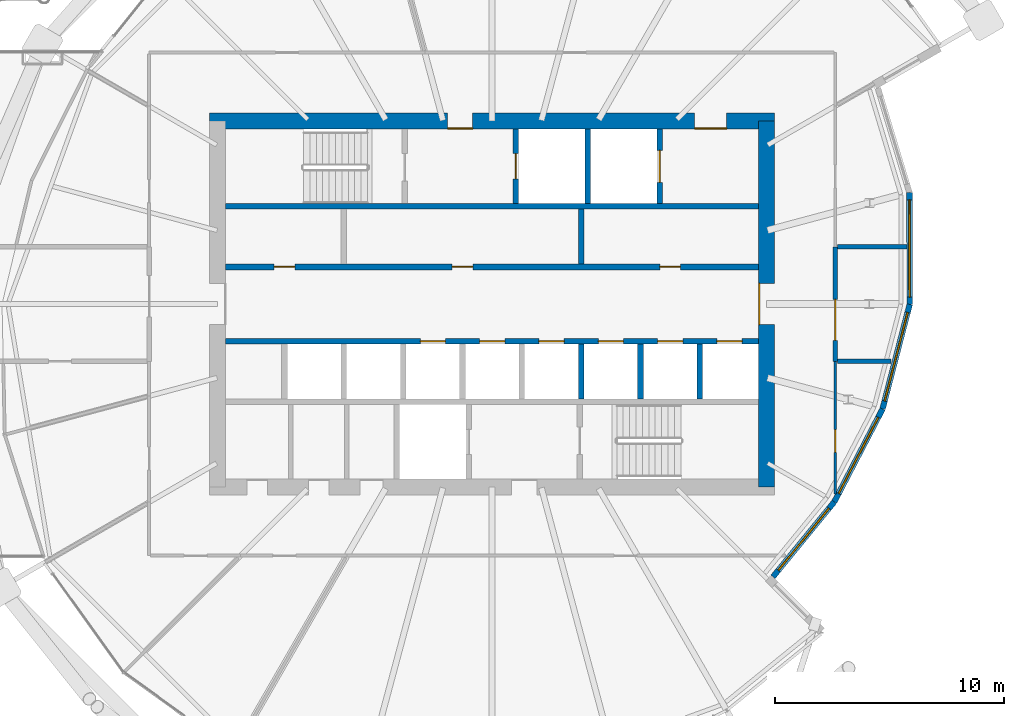
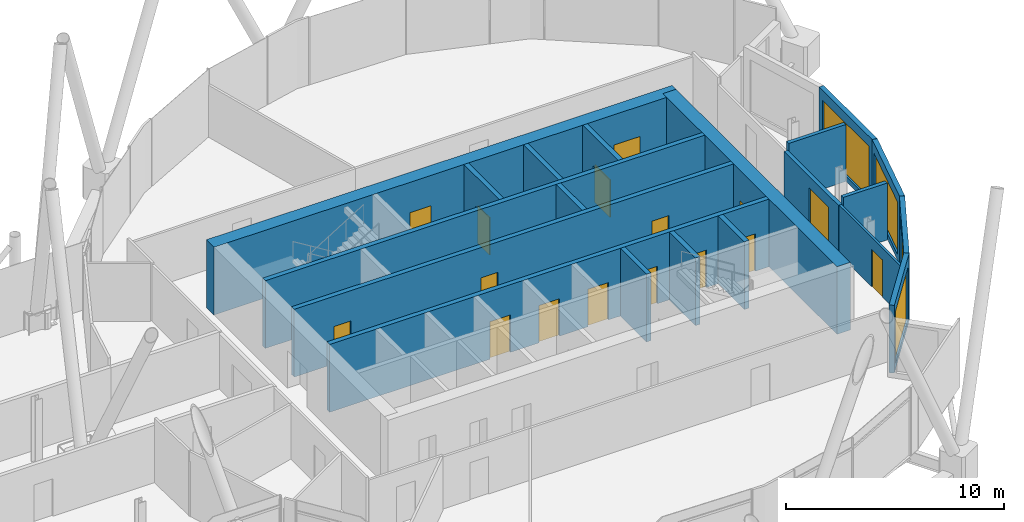
# One storey, part 28 of 35: 20 walls, 16 doors, 4 windows, 20 openings.
"""IFC4 building model written with IfcOpenShell, lengths in metres."""

from ifc_helpers import new_model, si_unit, direction, frame, frame_2d, origin, place, context, subcontext, project, spatial, rectangle, extrude, material, layer, layer_set, type_object, element, fill, save


model = new_model("IFC4")

# Units and contexts
model_context = context("Model", 3, precision=1e-05, world=origin(), true_north=direction((0.0, 1.0)))
body_context = subcontext(model_context, "Body", "Model", "MODEL_VIEW")
ifc_project = project(units=[si_unit("LENGTHUNIT", "METRE"), si_unit("AREAUNIT", "SQUARE_METRE"), si_unit("VOLUMEUNIT", "CUBIC_METRE"), si_unit("PLANEANGLEUNIT", "RADIAN"), si_unit("MASSUNIT", "GRAM", prefix="KILO")], contexts=[model_context])

# Site, building, storey
site_placement = place(None, origin())
site = spatial("IfcSite", under=ifc_project, at=site_placement, CompositionType="ELEMENT")
building_placement = place(site_placement, origin())
building = spatial("IfcBuilding", under=site, at=building_placement, Name="Rimbun Link Towers", CompositionType="ELEMENT")
storey_placement = place(building_placement, frame((0.0, 0.0, 146.800048828125)))
storey = spatial("IfcBuildingStorey", under=building, at=storey_placement, Name="L35", CompositionType="ELEMENT", Elevation=146.800048828125)

# Wall, opening, window
ifc_material_1 = material(Name="Dark enamelled glass spandrel on insulated aluminium backpan", Category="aluminium")
ifc_layer_1 = layer(ifc_material_1, 0.25)
ifc_layer_set_1 = layer_set([ifc_layer_1], Name="CS dark enamelled spandrel wall 250")
wall_type_1 = type_object("IfcWallType", Name="CS dark enamelled spandrel wall 250", PredefinedType="STANDARD", material=ifc_layer_set_1)
wall_1_placement = place(storey_placement, frame((46.711669921875, -8.646728515625, 0.0), z_axis=(0.0, 0.0, 1.0), x_axis=(-0.633071445917, -0.774093369281, 0.0)))
wall_1 = element("IfcWall", 1, at=wall_1_placement, inside=storey, type_object=wall_type_1, Name="Crease spandrel wall", PredefinedType="STANDARD", context=body_context, shape_type="SweptSolid", body=[
    extrude(rectangle(XDim=4.236328125, YDim=0.25, at=frame_2d((2.1181640625, 0.0))), origin(), (0.0, 0.0, 1.0), 3.800048828125),
])
opening_1_placement = place(wall_1_placement, frame((0.3681640625, 0.0, 0.300048828125)))
opening_1 = element("IfcOpeningElement", 2, at=opening_1_placement, cuts=wall_1, Name="Opening WR35H295", PredefinedType="OPENING", context=body_context, shape_type="SweptSolid", body=[
    extrude(rectangle(XDim=3.5, YDim=2.949951171875, at=frame_2d((1.75, 1.47509765625))), frame((0.0, 0.135009765625, 0.0), z_axis=(0.0, -1.0, 0.0), x_axis=(1.0, 0.0, 0.0)), (0.0, 0.0, 1.0), 0.27001953125),
])
ifc_material_2 = material(Name="Aluminium framed fixed window, dark tinted low-e glass", Category="aluminium")
window_type_1 = type_object("IfcWindowType", Name="WR ribbon window 3500X2950", PartitioningType="SINGLE_PANEL", PredefinedType="WINDOW", material=ifc_material_2)
window_1_placement = place(opening_1_placement, origin())
window_1 = element("IfcWindow", 3, at=window_1_placement, inside=storey, type_object=window_type_1, Name="Crease ribbon window", OverallHeight=2.949951171875, OverallWidth=3.5, PartitioningType="SINGLE_PANEL", PredefinedType="WINDOW", context=body_context, shape_type="SweptSolid", body=[
    extrude(rectangle(XDim=3.5, YDim=2.949951171875, at=frame_2d((1.75, 1.47509765625))), frame((0.0, 0.030029296875, 0.0), z_axis=(0.0, -1.0, 0.0), x_axis=(1.0, 0.0, 0.0)), (0.0, 0.0, 1.0), 0.06005859375),
])
fill(opening_1, window_1)

wall_2_placement = place(storey_placement, frame((48.820556640625, -4.587646484375, 0.0), z_axis=(0.0, 0.0, 1.0), x_axis=(-0.46103677095, -0.887381031931, 0.0)))
wall_2 = element("IfcWall", 4, at=wall_2_placement, inside=storey, type_object=wall_type_1, Name="Crease spandrel wall", PredefinedType="STANDARD", context=body_context, shape_type="SweptSolid", body=[
    extrude(rectangle(XDim=4.57421875, YDim=0.25, at=frame_2d((2.287109375, 0.0))), origin(), (0.0, 0.0, 1.0), 3.800048828125),
])
opening_2_placement = place(wall_2_placement, frame((0.412109375, 0.0, 0.300048828125)))
opening_2 = element("IfcOpeningElement", 5, at=opening_2_placement, cuts=wall_2, Name="Opening WR38H295", PredefinedType="OPENING", context=body_context, shape_type="SweptSolid", body=[
    extrude(rectangle(XDim=3.75, YDim=2.949951171875, at=frame_2d((1.875, 1.47509765625))), frame((0.0, 0.135009765625, 0.0), z_axis=(0.0, -1.0, 0.0), x_axis=(1.0, 0.0, 0.0)), (0.0, 0.0, 1.0), 0.27001953125),
])
ifc_material_3 = material(Name="Aluminium framed fixed window, dark tinted low-e glass", Category="aluminium")
window_type_2 = type_object("IfcWindowType", Name="WR ribbon window 3750X2950", PartitioningType="SINGLE_PANEL", PredefinedType="WINDOW", material=ifc_material_3)
window_2_placement = place(opening_2_placement, origin())
window_2 = element("IfcWindow", 6, at=window_2_placement, inside=storey, type_object=window_type_2, Name="Crease ribbon window", OverallHeight=2.949951171875, OverallWidth=3.75, PartitioningType="SINGLE_PANEL", PredefinedType="WINDOW", context=body_context, shape_type="SweptSolid", body=[
    extrude(rectangle(XDim=3.75, YDim=2.949951171875, at=frame_2d((1.875, 1.47509765625))), frame((0.0, 0.030029296875, 0.0), z_axis=(0.0, -1.0, 0.0), x_axis=(1.0, 0.0, 0.0)), (0.0, 0.0, 1.0), 0.06005859375),
])
fill(opening_2, window_2)

wall_3_placement = place(storey_placement, frame((50.00634765625, -0.015869140625, 0.0), z_axis=(0.0, 0.0, 1.0), x_axis=(-0.251064410387, -0.967970382727, 0.0)))
wall_3 = element("IfcWall", 7, at=wall_3_placement, inside=storey, type_object=wall_type_1, Name="Crease spandrel wall", PredefinedType="STANDARD", context=body_context, shape_type="SweptSolid", body=[
    extrude(rectangle(XDim=4.72314453125, YDim=0.25, at=frame_2d((2.361572265625, 0.0))), origin(), (0.0, 0.0, 1.0), 3.800048828125),
])
opening_3_placement = place(wall_3_placement, frame((0.361572265625, 0.0, 0.300048828125)))
opening_3 = element("IfcOpeningElement", 8, at=opening_3_placement, cuts=wall_3, Name="Opening WR40H295", PredefinedType="OPENING", context=body_context, shape_type="SweptSolid", body=[
    extrude(rectangle(XDim=4.0, YDim=2.949951171875, at=frame_2d((2.0, 1.47509765625))), frame((0.0, 0.135009765625, 0.0), z_axis=(0.0, -1.0, 0.0), x_axis=(1.0, 0.0, 0.0)), (0.0, 0.0, 1.0), 0.27001953125),
])
ifc_material_4 = material(Name="Aluminium framed fixed window, dark tinted low-e glass", Category="aluminium")
window_type_3 = type_object("IfcWindowType", Name="WR ribbon window 4000X2950", PartitioningType="SINGLE_PANEL", PredefinedType="WINDOW", material=ifc_material_4)
window_3_placement = place(opening_3_placement, origin())
window_3 = element("IfcWindow", 9, at=window_3_placement, inside=storey, type_object=window_type_3, Name="Crease ribbon window", OverallHeight=2.949951171875, OverallWidth=4.0, PartitioningType="SINGLE_PANEL", PredefinedType="WINDOW", context=body_context, shape_type="SweptSolid", body=[
    extrude(rectangle(XDim=4.0, YDim=2.949951171875, at=frame_2d((2.0, 1.47509765625))), frame((0.0, 0.030029296875, 0.0), z_axis=(0.0, -1.0, 0.0), x_axis=(1.0, 0.0, 0.0)), (0.0, 0.0, 1.0), 0.06005859375),
])
fill(opening_3, window_3)

wall_4_placement = place(storey_placement, frame((49.998291015625, 4.874755859375, 0.0), z_axis=(0.0, 0.0, 1.0), x_axis=(0.001647361982, -0.999998643098, 0.0)))
wall_4 = element("IfcWall", 10, at=wall_4_placement, inside=storey, type_object=wall_type_1, Name="Crease spandrel wall", PredefinedType="STANDARD", context=body_context, shape_type="SweptSolid", body=[
    extrude(rectangle(XDim=4.890625, YDim=0.25, at=frame_2d((2.4453125, 0.0))), origin(), (0.0, 0.0, 1.0), 3.800048828125),
])
opening_4_placement = place(wall_4_placement, frame((0.3203125, 0.0, 0.300048828125)))
opening_4 = element("IfcOpeningElement", 11, at=opening_4_placement, cuts=wall_4, Name="Opening WR42H295", PredefinedType="OPENING", context=body_context, shape_type="SweptSolid", body=[
    extrude(rectangle(XDim=4.25, YDim=2.949951171875, at=frame_2d((2.125, 1.47509765625))), frame((0.0, 0.135009765625, 0.0), z_axis=(0.0, -1.0, 0.0), x_axis=(1.0, 0.0, 0.0)), (0.0, 0.0, 1.0), 0.27001953125),
])
ifc_material_5 = material(Name="Aluminium framed fixed window, dark tinted low-e glass", Category="aluminium")
window_type_4 = type_object("IfcWindowType", Name="WR ribbon window 4250X2950", PartitioningType="SINGLE_PANEL", PredefinedType="WINDOW", material=ifc_material_5)
window_4_placement = place(opening_4_placement, origin())
window_4 = element("IfcWindow", 12, at=window_4_placement, inside=storey, type_object=window_type_4, Name="Crease ribbon window", OverallHeight=2.949951171875, OverallWidth=4.25, PartitioningType="SINGLE_PANEL", PredefinedType="WINDOW", context=body_context, shape_type="SweptSolid", body=[
    extrude(rectangle(XDim=4.25, YDim=2.949951171875, at=frame_2d((2.125, 1.47509765625))), frame((0.0, 0.030029296875, 0.0), z_axis=(0.0, -1.0, 0.0), x_axis=(1.0, 0.0, 0.0)), (0.0, 0.0, 1.0), 0.06005859375),
])
fill(opening_4, window_4)

# Wall, openings, doors
ifc_material_6 = material(Name="Concrete C60/75", Category="concrete")
ifc_layer_2 = layer(ifc_material_6, 0.699951171875)
ifc_layer_set_2 = layer_set([ifc_layer_2], Name="Core shear wall 700")
wall_type_2 = type_object("IfcWallType", Name="Core shear wall 700", PredefinedType="SHEAR", material=ifc_layer_set_2)
wall_5_placement = place(storey_placement, frame((19.39990234375, 8.0, 0.0), z_axis=(0.0, 0.0, 1.0), x_axis=(1.0, 0.0, 0.0)))
wall_5 = element("IfcWall", 13, at=wall_5_placement, inside=storey, type_object=wall_type_2, Name="L35 T2 core wall N", PredefinedType="SHEAR", context=body_context, shape_type="SweptSolid", body=[
    extrude(rectangle(XDim=24.7001953125, YDim=0.699951171875, at=frame_2d((12.35009765625, 0.0))), origin(), (0.0, 0.0, 1.0), 3.800048828125),
])
opening_5_placement = place(wall_5_placement, frame((10.39990234375, 0.0, 0.0)))
opening_5 = element("IfcOpeningElement", 14, at=opening_5_placement, cuts=wall_5, Name="Opening C2DCF01N", PredefinedType="OPENING", context=body_context, shape_type="SweptSolid", body=[
    extrude(rectangle(XDim=1.10009765625, YDim=2.10009765625, at=frame_2d((0.550048828125, 1.050048828125))), frame((0.0, 0.35986328125, 0.0), z_axis=(0.0, -1.0, 0.0), x_axis=(1.0, 0.0, 0.0)), (0.0, 0.0, 1.0), 0.719970703125),
])
opening_6_placement = place(wall_5_placement, frame((21.199951171875, 0.0, 0.0)))
opening_6 = element("IfcOpeningElement", 15, at=opening_6_placement, cuts=wall_5, Name="Opening C2DSL02N", PredefinedType="OPENING", context=body_context, shape_type="SweptSolid", body=[
    extrude(rectangle(XDim=1.39990234375, YDim=2.10009765625, at=frame_2d((0.699951171875, 1.050048828125))), frame((0.0, 0.35986328125, 0.0), z_axis=(0.0, -1.0, 0.0), x_axis=(1.0, 0.0, 0.0)), (0.0, 0.0, 1.0), 0.719970703125),
])
ifc_material_7 = material(Name="Steel fire door set", Category="steel")
door_type_1 = type_object("IfcDoorType", Name="Core fire door single", OperationType="SINGLE_SWING_LEFT", PredefinedType="DOOR", material=ifc_material_7)
door_1_placement = place(opening_5_placement, origin())
door_1 = element("IfcDoor", 16, at=door_1_placement, inside=storey, type_object=door_type_1, Name="L35 T2 firefighting lobby n door", OperationType="SINGLE_SWING_LEFT", OverallHeight=2.10009765625, OverallWidth=1.10009765625, PredefinedType="DOOR", context=body_context, shape_type="SweptSolid", body=[
    extrude(rectangle(XDim=1.10009765625, YDim=2.10009765625, at=frame_2d((0.550048828125, 1.050048828125))), frame((0.0, -0.2998046875, 0.0), z_axis=(0.0, -1.0, 0.0), x_axis=(1.0, 0.0, 0.0)), (0.0, 0.0, 1.0), 0.050048828125),
])
fill(opening_5, door_1)
ifc_material_8 = material(Name="Steel fire door set", Category="steel")
door_type_2 = type_object("IfcDoorType", Name="Service lobby door double", OperationType="DOUBLE_DOOR_SINGLE_SWING", PredefinedType="DOOR", material=ifc_material_8)
door_2_placement = place(opening_6_placement, origin())
door_2 = element("IfcDoor", 17, at=door_2_placement, inside=storey, type_object=door_type_2, Name="L35 T2 service lobby door", OperationType="DOUBLE_DOOR_SINGLE_SWING", OverallHeight=2.10009765625, OverallWidth=1.39990234375, PredefinedType="DOOR", context=body_context, shape_type="SweptSolid", body=[
    extrude(rectangle(XDim=1.39990234375, YDim=2.10009765625, at=frame_2d((0.699951171875, 1.050048828125))), frame((0.0, -0.2998046875, 0.0), z_axis=(0.0, -1.0, 0.0), x_axis=(1.0, 0.0, 0.0)), (0.0, 0.0, 1.0), 0.050048828125),
])
fill(opening_6, door_2)

# Wall, opening, door
wall_6_placement = place(storey_placement, frame((43.75, -8.0, 0.0), z_axis=(0.0, 0.0, 1.0), x_axis=(0.0, 1.0, 0.0)))
wall_6 = element("IfcWall", 18, at=wall_6_placement, inside=storey, type_object=wall_type_2, Name="L35 T2 core wall E", PredefinedType="SHEAR", context=body_context, shape_type="SweptSolid", body=[
    extrude(rectangle(XDim=16.0, YDim=0.699951171875, at=frame_2d((8.0, 0.0))), origin(), (0.0, 0.0, 1.0), 3.800048828125),
])
opening_7_placement = place(wall_6_placement, frame((7.10009765625, 0.0, 0.0)))
opening_7 = element("IfcOpeningElement", 19, at=opening_7_placement, cuts=wall_6, Name="Opening C2DCL01E", PredefinedType="OPENING", context=body_context, shape_type="SweptSolid", body=[
    extrude(rectangle(XDim=1.800048828125, YDim=2.10009765625, at=frame_2d((0.89990234375, 1.050048828125))), frame((0.0, 0.35986328125, 0.0), z_axis=(0.0, -1.0, 0.0), x_axis=(1.0, 0.0, 0.0)), (0.0, 0.0, 1.0), 0.719970703125),
])
ifc_material_9 = material(Name="Steel fire door set", Category="steel")
door_type_3 = type_object("IfcDoorType", Name="Core lobby door double", OperationType="DOUBLE_DOOR_SINGLE_SWING", PredefinedType="DOOR", material=ifc_material_9)
door_3_placement = place(opening_7_placement, origin())
door_3 = element("IfcDoor", 20, at=door_3_placement, inside=storey, type_object=door_type_3, Name="L35 T2 lift lobby door", OperationType="DOUBLE_DOOR_SINGLE_SWING", OverallHeight=2.10009765625, OverallWidth=1.800048828125, PredefinedType="DOOR", context=body_context, shape_type="SweptSolid", body=[
    extrude(rectangle(XDim=1.800048828125, YDim=2.10009765625, at=frame_2d((0.89990234375, 1.050048828125))), frame((0.0, 0.35009765625, 0.0), z_axis=(0.0, -1.0, 0.0), x_axis=(1.0, 0.0, 0.0)), (0.0, 0.0, 1.0), 0.050048828125),
])
fill(opening_7, door_3)

ifc_material_10 = material(Name="Concrete blockwork", Category="masonry")
ifc_layer_3 = layer(ifc_material_10, 0.199951171875)
ifc_layer_set_3 = layer_set([ifc_layer_3], Name="Fire partition 200 blockwork")
wall_type_3 = type_object("IfcWallType", Name="Fire partition 200 blockwork", PredefinedType="PARTITIONING", material=ifc_layer_set_3)
wall_7_placement = place(storey_placement, frame((46.75, -2.5, 0.0), z_axis=(0.0, 0.0, 1.0), x_axis=(0.0, 1.0, 0.0)))
wall_7 = element("IfcWall", 21, at=wall_7_placement, inside=storey, type_object=wall_type_3, Name="TW/PW/L35/033", PredefinedType="PARTITIONING", context=body_context, shape_type="SweptSolid", body=[
    extrude(rectangle(XDim=5.0, YDim=0.199951171875, at=frame_2d((2.5, 0.0))), origin(), (0.0, 0.0, 1.0), 2.759033203125),
])
opening_8_placement = place(wall_7_placement, frame((0.909912109375, 0.0, 0.0)))
opening_8 = element("IfcOpeningElement", 22, at=opening_8_placement, cuts=wall_7, Name="Opening TW D35.25", PredefinedType="OPENING", context=body_context, shape_type="SweptSolid", body=[
    extrude(rectangle(XDim=1.800048828125, YDim=2.10009765625, at=frame_2d((0.89990234375, 1.050048828125))), frame((0.0, 0.10986328125, 0.0), z_axis=(0.0, -1.0, 0.0), x_axis=(1.0, 0.0, 0.0)), (0.0, 0.0, 1.0), 0.219970703125),
])
ifc_material_11 = material(Name="Steel fire door set", Category="steel")
door_type_4 = type_object("IfcDoorType", Name="Fire door double leaf 1800 x 2100", OperationType="NOTDEFINED", PredefinedType="DOOR", material=ifc_material_11)
door_4_placement = place(opening_8_placement, origin())
door_4 = element("IfcDoor", 23, at=door_4_placement, inside=storey, type_object=door_type_4, Name="TW/DR/L35/025", OperationType="DOUBLE_DOOR_SINGLE_SWING", OverallHeight=2.10009765625, OverallWidth=1.800048828125, PredefinedType="DOOR", context=body_context, shape_type="SweptSolid", body=[
    extrude(rectangle(XDim=1.800048828125, YDim=2.10009765625, at=frame_2d((0.89990234375, 1.050048828125))), frame((0.0, 0.02490234375, 0.0), z_axis=(0.0, -1.0, 0.0), x_axis=(1.0, 0.0, 0.0)), (0.0, 0.0, 1.0), 0.050048828125),
])
fill(opening_8, door_4)

# Walls
wall_8_placement = place(storey_placement, frame((49.877197265625, 2.5, 0.0), z_axis=(0.0, 0.0, 1.0), x_axis=(-1.0, 0.0, 0.0)))
element("IfcWall", 24, at=wall_8_placement, inside=storey, type_object=wall_type_3, Name="TW/PW/L35/048", PredefinedType="PARTITIONING", context=body_context, shape_type="SweptSolid", body=[
    extrude(rectangle(XDim=3.027099609375, YDim=0.199951171875, at=frame_2d((1.513671875, 0.0))), origin(), (0.0, 0.0, 1.0), 3.19384765625),
])
wall_9_placement = place(storey_placement, frame((46.85009765625, -2.5, 0.0), z_axis=(0.0, 0.0, 1.0), x_axis=(1.0, 0.0, 0.0)))
element("IfcWall", 25, at=wall_9_placement, inside=storey, type_object=wall_type_3, Name="TW/PW/L35/049", PredefinedType="PARTITIONING", context=body_context, shape_type="SweptSolid", body=[
    extrude(rectangle(XDim=2.332763671875, YDim=0.199951171875, at=frame_2d((1.16650390625, 0.0))), origin(), (0.0, 0.0, 1.0), 3.19384765625),
])

# Wall, opening, door
ifc_material_12 = material(Name="Gypsum board on steel studs", Category="steel")
ifc_layer_4 = layer(ifc_material_12, 0.125)
ifc_layer_set_4 = layer_set([ifc_layer_4], Name="Partition 125 board on studs")
wall_type_4 = type_object("IfcWallType", Name="Partition 125 board on studs", PredefinedType="PARTITIONING", material=ifc_layer_set_4)
wall_10_placement = place(storey_placement, frame((46.75, -8.3017578125, 0.0), z_axis=(0.0, 0.0, 1.0), x_axis=(0.0, 1.0, 0.0)))
wall_10 = element("IfcWall", 26, at=wall_10_placement, inside=storey, type_object=wall_type_4, Name="TW/PW/L35/041", PredefinedType="PARTITIONING", context=body_context, shape_type="SweptSolid", body=[
    extrude(rectangle(XDim=5.8017578125, YDim=0.125, at=frame_2d((2.90087890625, 0.0))), origin(), (0.0, 0.0, 1.0), 2.759033203125),
])
opening_9_placement = place(wall_10_placement, frame((1.81591796875, 0.0, 0.0)))
opening_9 = element("IfcOpeningElement", 27, at=opening_9_placement, cuts=wall_10, Name="Opening TW D35.14", PredefinedType="OPENING", context=body_context, shape_type="SweptSolid", body=[
    extrude(rectangle(XDim=1.0, YDim=2.10009765625, at=frame_2d((0.5, 1.050048828125))), frame((0.0, 0.072509765625, 0.0), z_axis=(0.0, -1.0, 0.0), x_axis=(1.0, 0.0, 0.0)), (0.0, 0.0, 1.0), 0.14501953125),
])
ifc_material_13 = material(Name="Timber door set", Category="wood")
door_type_5 = type_object("IfcDoorType", Name="Door single leaf 1000 x 2100", OperationType="NOTDEFINED", PredefinedType="DOOR", material=ifc_material_13)
door_5_placement = place(opening_9_placement, origin())
door_5 = element("IfcDoor", 28, at=door_5_placement, inside=storey, type_object=door_type_5, Name="TW/DR/L35/014", OperationType="SINGLE_SWING_LEFT", OverallHeight=2.10009765625, OverallWidth=1.0, PredefinedType="DOOR", context=body_context, shape_type="SweptSolid", body=[
    extrude(rectangle(XDim=1.0, YDim=2.10009765625, at=frame_2d((0.5, 1.050048828125))), frame((0.0, 0.02490234375, 0.0), z_axis=(0.0, -1.0, 0.0), x_axis=(1.0, 0.0, 0.0)), (0.0, 0.0, 1.0), 0.050048828125),
])
fill(opening_9, door_5)

# Wall
ifc_material_14 = material(Name="Concrete C60/75", Category="concrete")
ifc_layer_5 = layer(ifc_material_14, 0.25)
ifc_layer_set_5 = layer_set([ifc_layer_5], Name="Shaft wall 250")
wall_type_5 = type_object("IfcWallType", Name="Shaft wall 250", PredefinedType="SHEAR", material=ifc_layer_set_5)
wall_11_placement = place(storey_placement, frame((20.10009765625, 4.27490234375, 0.0), z_axis=(0.0, 0.0, 1.0), x_axis=(1.0, 0.0, 0.0)))
element("IfcWall", 29, at=wall_11_placement, inside=storey, type_object=wall_type_5, Name="L35 T2 core wall BN", PredefinedType="SHEAR", context=body_context, shape_type="SweptSolid", body=[
    extrude(rectangle(XDim=23.2998046875, YDim=0.25, at=frame_2d((11.64990234375, 0.0))), origin(), (0.0, 0.0, 1.0), 3.800048828125),
])

# Wall, openings, doors
wall_12_placement = place(storey_placement, frame((20.10009765625, 1.625, 0.0), z_axis=(0.0, 0.0, 1.0), x_axis=(1.0, 0.0, 0.0)))
wall_12 = element("IfcWall", 30, at=wall_12_placement, inside=storey, type_object=wall_type_5, Name="L35 T2 core wall FN", PredefinedType="SHEAR", context=body_context, shape_type="SweptSolid", body=[
    extrude(rectangle(XDim=23.2998046875, YDim=0.25, at=frame_2d((11.64990234375, 0.0))), origin(), (0.0, 0.0, 1.0), 3.800048828125),
])
opening_10_placement = place(wall_12_placement, frame((2.119384765625, 0.0, 0.0)))
opening_10 = element("IfcOpeningElement", 31, at=opening_10_placement, cuts=wall_12, Name="Opening C2DRS01FN", PredefinedType="OPENING", context=body_context, shape_type="SweptSolid", body=[
    extrude(rectangle(XDim=0.89990234375, YDim=2.10009765625, at=frame_2d((0.449951171875, 1.050048828125))), frame((0.0, 0.135009765625, 0.0), z_axis=(0.0, -1.0, 0.0), x_axis=(1.0, 0.0, 0.0)), (0.0, 0.0, 1.0), 0.27001953125),
])
opening_11_placement = place(wall_12_placement, frame((9.90283203125, 0.0, 0.0)))
opening_11 = element("IfcOpeningElement", 32, at=opening_11_placement, cuts=wall_12, Name="Opening C2DRS02FN", PredefinedType="OPENING", context=body_context, shape_type="SweptSolid", body=[
    extrude(rectangle(XDim=0.89990234375, YDim=2.10009765625, at=frame_2d((0.449951171875, 1.050048828125))), frame((0.0, 0.135009765625, 0.0), z_axis=(0.0, -1.0, 0.0), x_axis=(1.0, 0.0, 0.0)), (0.0, 0.0, 1.0), 0.27001953125),
])
opening_12_placement = place(wall_12_placement, frame((18.9833984375, 0.0, 0.0)))
opening_12 = element("IfcOpeningElement", 33, at=opening_12_placement, cuts=wall_12, Name="Opening C2DRS03FN", PredefinedType="OPENING", context=body_context, shape_type="SweptSolid", body=[
    extrude(rectangle(XDim=0.89990234375, YDim=2.10009765625, at=frame_2d((0.449951171875, 1.050048828125))), frame((0.0, 0.135009765625, 0.0), z_axis=(0.0, -1.0, 0.0), x_axis=(1.0, 0.0, 0.0)), (0.0, 0.0, 1.0), 0.27001953125),
])
ifc_material_15 = material(Name="Steel fire door set", Category="steel")
door_type_6 = type_object("IfcDoorType", Name="Core riser door", OperationType="SINGLE_SWING_LEFT", PredefinedType="DOOR", material=ifc_material_15)
door_6_placement = place(opening_10_placement, origin())
door_6 = element("IfcDoor", 34, at=door_6_placement, inside=storey, type_object=door_type_6, Name="L35 T2 print room door", OperationType="SINGLE_SWING_RIGHT", OverallHeight=2.10009765625, OverallWidth=0.89990234375, PredefinedType="DOOR", context=body_context, shape_type="SweptSolid", body=[
    extrude(rectangle(XDim=0.89990234375, YDim=2.10009765625, at=frame_2d((0.449951171875, 1.050048828125))), frame((0.0, 0.02490234375, 0.0), z_axis=(0.0, -1.0, 0.0), x_axis=(1.0, 0.0, 0.0)), (0.0, 0.0, 1.0), 0.050048828125),
])
fill(opening_10, door_6)
door_7_placement = place(opening_11_placement, origin())
door_7 = element("IfcDoor", 35, at=door_7_placement, inside=storey, type_object=door_type_6, Name="L35 T2 services room door", OperationType="SINGLE_SWING_LEFT", OverallHeight=2.10009765625, OverallWidth=0.89990234375, PredefinedType="DOOR", context=body_context, shape_type="SweptSolid", body=[
    extrude(rectangle(XDim=0.89990234375, YDim=2.10009765625, at=frame_2d((0.449951171875, 1.050048828125))), frame((0.0, 0.02490234375, 0.0), z_axis=(0.0, -1.0, 0.0), x_axis=(1.0, 0.0, 0.0)), (0.0, 0.0, 1.0), 0.050048828125),
])
fill(opening_11, door_7)
door_8_placement = place(opening_12_placement, origin())
door_8 = element("IfcDoor", 36, at=door_8_placement, inside=storey, type_object=door_type_6, Name="L35 T2 records store door", OperationType="SINGLE_SWING_LEFT", OverallHeight=2.10009765625, OverallWidth=0.89990234375, PredefinedType="DOOR", context=body_context, shape_type="SweptSolid", body=[
    extrude(rectangle(XDim=0.89990234375, YDim=2.10009765625, at=frame_2d((0.449951171875, 1.050048828125))), frame((0.0, 0.02490234375, 0.0), z_axis=(0.0, -1.0, 0.0), x_axis=(1.0, 0.0, 0.0)), (0.0, 0.0, 1.0), 0.050048828125),
])
fill(opening_12, door_8)

wall_13_placement = place(storey_placement, frame((20.10009765625, -1.625, 0.0), z_axis=(0.0, 0.0, 1.0), x_axis=(1.0, 0.0, 0.0)))
wall_13 = element("IfcWall", 37, at=wall_13_placement, inside=storey, type_object=wall_type_5, Name="L35 T2 core wall FS", PredefinedType="SHEAR", context=body_context, shape_type="SweptSolid", body=[
    extrude(rectangle(XDim=23.2998046875, YDim=0.25, at=frame_2d((11.64990234375, 0.0))), origin(), (0.0, 0.0, 1.0), 3.800048828125),
])
opening_13_placement = place(wall_13_placement, frame((8.505615234375, 0.0, 0.0)))
opening_13 = element("IfcOpeningElement", 38, at=opening_13_placement, cuts=wall_13, Name="Opening LD-T2-HR1", PredefinedType="OPENING", context=body_context, shape_type="SweptSolid", body=[
    extrude(rectangle(XDim=1.10009765625, YDim=2.10009765625, at=frame_2d((0.550048828125, 1.050048828125))), frame((0.0, 0.135009765625, 0.0), z_axis=(0.0, -1.0, 0.0), x_axis=(1.0, 0.0, 0.0)), (0.0, 0.0, 1.0), 0.27001953125),
])
opening_14_placement = place(wall_13_placement, frame((11.10009765625, 0.0, 0.0)))
opening_14 = element("IfcOpeningElement", 39, at=opening_14_placement, cuts=wall_13, Name="Opening LD-T2-HR2", PredefinedType="OPENING", context=body_context, shape_type="SweptSolid", body=[
    extrude(rectangle(XDim=1.10009765625, YDim=2.10009765625, at=frame_2d((0.550048828125, 1.050048828125))), frame((0.0, 0.135009765625, 0.0), z_axis=(0.0, -1.0, 0.0), x_axis=(1.0, 0.0, 0.0)), (0.0, 0.0, 1.0), 0.27001953125),
])
opening_15_placement = place(wall_13_placement, frame((13.6943359375, 0.0, 0.0)))
opening_15 = element("IfcOpeningElement", 40, at=opening_15_placement, cuts=wall_13, Name="Opening LD-T2-HR3", PredefinedType="OPENING", context=body_context, shape_type="SweptSolid", body=[
    extrude(rectangle(XDim=1.10009765625, YDim=2.10009765625, at=frame_2d((0.550048828125, 1.050048828125))), frame((0.0, 0.135009765625, 0.0), z_axis=(0.0, -1.0, 0.0), x_axis=(1.0, 0.0, 0.0)), (0.0, 0.0, 1.0), 0.27001953125),
])
opening_16_placement = place(wall_13_placement, frame((16.288818359375, 0.0, 0.0)))
opening_16 = element("IfcOpeningElement", 41, at=opening_16_placement, cuts=wall_13, Name="Opening LD-T2-HR4", PredefinedType="OPENING", context=body_context, shape_type="SweptSolid", body=[
    extrude(rectangle(XDim=1.10009765625, YDim=2.10009765625, at=frame_2d((0.550048828125, 1.050048828125))), frame((0.0, 0.135009765625, 0.0), z_axis=(0.0, -1.0, 0.0), x_axis=(1.0, 0.0, 0.0)), (0.0, 0.0, 1.0), 0.27001953125),
])
opening_17_placement = place(wall_13_placement, frame((18.88330078125, 0.0, 0.0)))
opening_17 = element("IfcOpeningElement", 42, at=opening_17_placement, cuts=wall_13, Name="Opening LD-T2-HR5", PredefinedType="OPENING", context=body_context, shape_type="SweptSolid", body=[
    extrude(rectangle(XDim=1.10009765625, YDim=2.10009765625, at=frame_2d((0.550048828125, 1.050048828125))), frame((0.0, 0.135009765625, 0.0), z_axis=(0.0, -1.0, 0.0), x_axis=(1.0, 0.0, 0.0)), (0.0, 0.0, 1.0), 0.27001953125),
])
opening_18_placement = place(wall_13_placement, frame((21.477783203125, 0.0, 0.0)))
opening_18 = element("IfcOpeningElement", 43, at=opening_18_placement, cuts=wall_13, Name="Opening LD-T2-HR6", PredefinedType="OPENING", context=body_context, shape_type="SweptSolid", body=[
    extrude(rectangle(XDim=1.10009765625, YDim=2.10009765625, at=frame_2d((0.550048828125, 1.050048828125))), frame((0.0, 0.135009765625, 0.0), z_axis=(0.0, -1.0, 0.0), x_axis=(1.0, 0.0, 0.0)), (0.0, 0.0, 1.0), 0.27001953125),
])
ifc_material_16 = material(Name="Stainless steel grade 316", Category="steel")
door_type_7 = type_object("IfcDoorType", Name="Lift landing door", OperationType="DOUBLE_DOOR_SLIDING", PredefinedType="DOOR", material=ifc_material_16)
door_9_placement = place(opening_13_placement, origin())
door_9 = element("IfcDoor", 44, at=door_9_placement, inside=storey, type_object=door_type_7, Name="L35 T2 lift HR1 landing door", OperationType="DOUBLE_DOOR_SLIDING", OverallHeight=2.10009765625, OverallWidth=1.10009765625, PredefinedType="DOOR", context=body_context, shape_type="SweptSolid", body=[
    extrude(rectangle(XDim=1.10009765625, YDim=2.10009765625, at=frame_2d((0.550048828125, 1.050048828125))), frame((0.0, 0.02490234375, 0.0), z_axis=(0.0, -1.0, 0.0), x_axis=(1.0, 0.0, 0.0)), (0.0, 0.0, 1.0), 0.050048828125),
])
fill(opening_13, door_9)
door_10_placement = place(opening_14_placement, origin())
door_10 = element("IfcDoor", 45, at=door_10_placement, inside=storey, type_object=door_type_7, Name="L35 T2 lift HR2 landing door", OperationType="DOUBLE_DOOR_SLIDING", OverallHeight=2.10009765625, OverallWidth=1.10009765625, PredefinedType="DOOR", context=body_context, shape_type="SweptSolid", body=[
    extrude(rectangle(XDim=1.10009765625, YDim=2.10009765625, at=frame_2d((0.550048828125, 1.050048828125))), frame((0.0, 0.02490234375, 0.0), z_axis=(0.0, -1.0, 0.0), x_axis=(1.0, 0.0, 0.0)), (0.0, 0.0, 1.0), 0.050048828125),
])
fill(opening_14, door_10)
door_11_placement = place(opening_15_placement, origin())
door_11 = element("IfcDoor", 46, at=door_11_placement, inside=storey, type_object=door_type_7, Name="L35 T2 lift HR3 landing door", OperationType="DOUBLE_DOOR_SLIDING", OverallHeight=2.10009765625, OverallWidth=1.10009765625, PredefinedType="DOOR", context=body_context, shape_type="SweptSolid", body=[
    extrude(rectangle(XDim=1.10009765625, YDim=2.10009765625, at=frame_2d((0.550048828125, 1.050048828125))), frame((0.0, 0.02490234375, 0.0), z_axis=(0.0, -1.0, 0.0), x_axis=(1.0, 0.0, 0.0)), (0.0, 0.0, 1.0), 0.050048828125),
])
fill(opening_15, door_11)
door_12_placement = place(opening_16_placement, origin())
door_12 = element("IfcDoor", 47, at=door_12_placement, inside=storey, type_object=door_type_7, Name="L35 T2 lift HR4 landing door", OperationType="DOUBLE_DOOR_SLIDING", OverallHeight=2.10009765625, OverallWidth=1.10009765625, PredefinedType="DOOR", context=body_context, shape_type="SweptSolid", body=[
    extrude(rectangle(XDim=1.10009765625, YDim=2.10009765625, at=frame_2d((0.550048828125, 1.050048828125))), frame((0.0, 0.02490234375, 0.0), z_axis=(0.0, -1.0, 0.0), x_axis=(1.0, 0.0, 0.0)), (0.0, 0.0, 1.0), 0.050048828125),
])
fill(opening_16, door_12)
door_13_placement = place(opening_17_placement, origin())
door_13 = element("IfcDoor", 48, at=door_13_placement, inside=storey, type_object=door_type_7, Name="L35 T2 lift HR5 landing door", OperationType="DOUBLE_DOOR_SLIDING", OverallHeight=2.10009765625, OverallWidth=1.10009765625, PredefinedType="DOOR", context=body_context, shape_type="SweptSolid", body=[
    extrude(rectangle(XDim=1.10009765625, YDim=2.10009765625, at=frame_2d((0.550048828125, 1.050048828125))), frame((0.0, 0.02490234375, 0.0), z_axis=(0.0, -1.0, 0.0), x_axis=(1.0, 0.0, 0.0)), (0.0, 0.0, 1.0), 0.050048828125),
])
fill(opening_17, door_13)
door_14_placement = place(opening_18_placement, origin())
door_14 = element("IfcDoor", 49, at=door_14_placement, inside=storey, type_object=door_type_7, Name="L35 T2 lift HR6 landing door", OperationType="DOUBLE_DOOR_SLIDING", OverallHeight=2.10009765625, OverallWidth=1.10009765625, PredefinedType="DOOR", context=body_context, shape_type="SweptSolid", body=[
    extrude(rectangle(XDim=1.10009765625, YDim=2.10009765625, at=frame_2d((0.550048828125, 1.050048828125))), frame((0.0, 0.02490234375, 0.0), z_axis=(0.0, -1.0, 0.0), x_axis=(1.0, 0.0, 0.0)), (0.0, 0.0, 1.0), 0.050048828125),
])
fill(opening_18, door_14)

# Walls
for number, where, z_axis, x_axis, name in (
    (50, (35.6416015625, 1.75, 0.0), (0.0, 0.0, 1.0), (0.0, 1.0, 0.0), "L35 T2 core wall DN5"),
    (51, (35.6416015625, -4.14990234375, 0.0), (0.0, 0.0, 1.0), (0.0, 1.0, 0.0), "L35 T2 core wall DS5"),
    (52, (38.236083984375, -4.14990234375, 0.0), (0.0, 0.0, 1.0), (0.0, 1.0, 0.0), "L35 T2 core wall DS6"),
    (53, (40.83056640625, -4.14990234375, 0.0), (0.0, 0.0, 1.0), (0.0, 1.0, 0.0), "L35 T2 core wall DS7"),
):
    element("IfcWall", number, at=place(storey_placement, frame(where, z_axis=z_axis, x_axis=x_axis)), inside=storey, type_object=wall_type_5, Name=name, PredefinedType="SHEAR", context=body_context, shape_type="SweptSolid", body=[
        extrude(rectangle(XDim=2.39990234375, YDim=0.25, at=frame_2d((1.199951171875, 0.0))), origin(), (0.0, 0.0, 1.0), 3.800048828125),
    ])

# Wall, opening, door
wall_14_placement = place(storey_placement, frame((32.77490234375, 4.39990234375, 0.0), z_axis=(0.0, 0.0, 1.0), x_axis=(0.0, 1.0, 0.0)))
wall_14 = element("IfcWall", 54, at=wall_14_placement, inside=storey, type_object=wall_type_5, Name="L35 T2 core wall A2", PredefinedType="SHEAR", context=body_context, shape_type="SweptSolid", body=[
    extrude(rectangle(XDim=3.25, YDim=0.25, at=frame_2d((1.625, 0.0))), origin(), (0.0, 0.0, 1.0), 3.800048828125),
])
opening_19_placement = place(wall_14_placement, frame((1.074951171875, 0.0, 0.0)))
opening_19 = element("IfcOpeningElement", 55, at=opening_19_placement, cuts=wall_14, Name="Opening LD-T2-FF1", PredefinedType="OPENING", context=body_context, shape_type="SweptSolid", body=[
    extrude(rectangle(XDim=1.10009765625, YDim=2.10009765625, at=frame_2d((0.550048828125, 1.050048828125))), frame((0.0, 0.135009765625, 0.0), z_axis=(0.0, -1.0, 0.0), x_axis=(1.0, 0.0, 0.0)), (0.0, 0.0, 1.0), 0.27001953125),
])
door_15_placement = place(opening_19_placement, origin())
door_15 = element("IfcDoor", 56, at=door_15_placement, inside=storey, type_object=door_type_7, Name="L35 T2 lift FF1 landing door", OperationType="DOUBLE_DOOR_SLIDING", OverallHeight=2.10009765625, OverallWidth=1.10009765625, PredefinedType="DOOR", context=body_context, shape_type="SweptSolid", body=[
    extrude(rectangle(XDim=1.10009765625, YDim=2.10009765625, at=frame_2d((0.550048828125, 1.050048828125))), frame((0.0, 0.02490234375, 0.0), z_axis=(0.0, -1.0, 0.0), x_axis=(1.0, 0.0, 0.0)), (0.0, 0.0, 1.0), 0.050048828125),
])
fill(opening_19, door_15)

# Wall
wall_15_placement = place(storey_placement, frame((35.925048828125, 4.39990234375, 0.0), z_axis=(0.0, 0.0, 1.0), x_axis=(0.0, 1.0, 0.0)))
element("IfcWall", 57, at=wall_15_placement, inside=storey, type_object=wall_type_5, Name="L35 T2 core wall A3", PredefinedType="SHEAR", context=body_context, shape_type="SweptSolid", body=[
    extrude(rectangle(XDim=3.25, YDim=0.25, at=frame_2d((1.625, 0.0))), origin(), (0.0, 0.0, 1.0), 3.800048828125),
])

# Wall, opening, door
wall_16_placement = place(storey_placement, frame((39.074951171875, 4.39990234375, 0.0), z_axis=(0.0, 0.0, 1.0), x_axis=(0.0, 1.0, 0.0)))
wall_16 = element("IfcWall", 58, at=wall_16_placement, inside=storey, type_object=wall_type_5, Name="L35 T2 core wall A4", PredefinedType="SHEAR", context=body_context, shape_type="SweptSolid", body=[
    extrude(rectangle(XDim=3.25, YDim=0.25, at=frame_2d((1.625, 0.0))), origin(), (0.0, 0.0, 1.0), 3.800048828125),
])
opening_20_placement = place(wall_16_placement, frame((0.925048828125, 0.0, 0.0)))
opening_20 = element("IfcOpeningElement", 59, at=opening_20_placement, cuts=wall_16, Name="Opening LD-T2-GL1", PredefinedType="OPENING", context=body_context, shape_type="SweptSolid", body=[
    extrude(rectangle(XDim=1.39990234375, YDim=2.10009765625, at=frame_2d((0.699951171875, 1.050048828125))), frame((0.0, 0.135009765625, 0.0), z_axis=(0.0, -1.0, 0.0), x_axis=(1.0, 0.0, 0.0)), (0.0, 0.0, 1.0), 0.27001953125),
])
ifc_material_17 = material(Name="Stainless steel grade 316", Category="steel")
door_type_8 = type_object("IfcDoorType", Name="Goods lift landing door", OperationType="DOUBLE_DOOR_SLIDING", PredefinedType="DOOR", material=ifc_material_17)
door_16_placement = place(opening_20_placement, origin())
door_16 = element("IfcDoor", 60, at=door_16_placement, inside=storey, type_object=door_type_8, Name="L35 T2 lift GL1 landing door", OperationType="DOUBLE_DOOR_SLIDING", OverallHeight=2.10009765625, OverallWidth=1.39990234375, PredefinedType="DOOR", context=body_context, shape_type="SweptSolid", body=[
    extrude(rectangle(XDim=1.39990234375, YDim=2.10009765625, at=frame_2d((0.699951171875, 1.050048828125))), frame((0.0, 0.02490234375, 0.0), z_axis=(0.0, -1.0, 0.0), x_axis=(1.0, 0.0, 0.0)), (0.0, 0.0, 1.0), 0.050048828125),
])
fill(opening_20, door_16)

save(model, "model.ifc")
